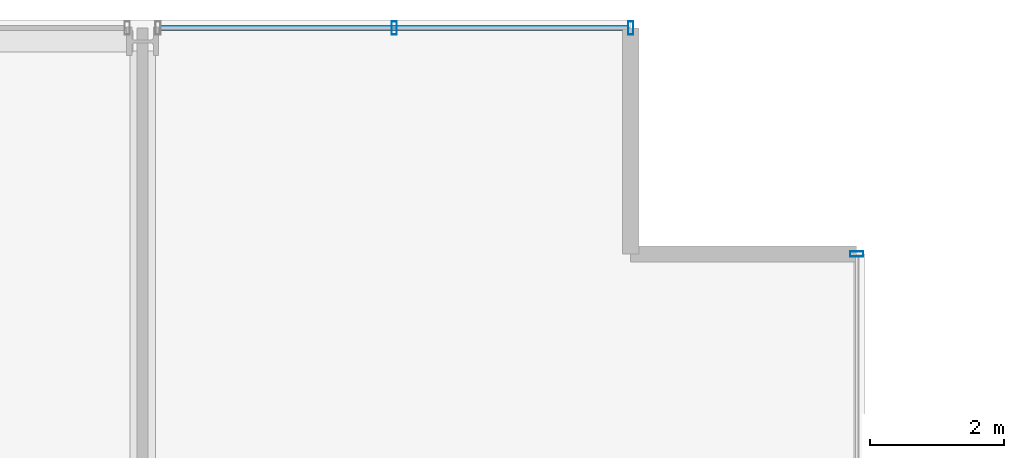
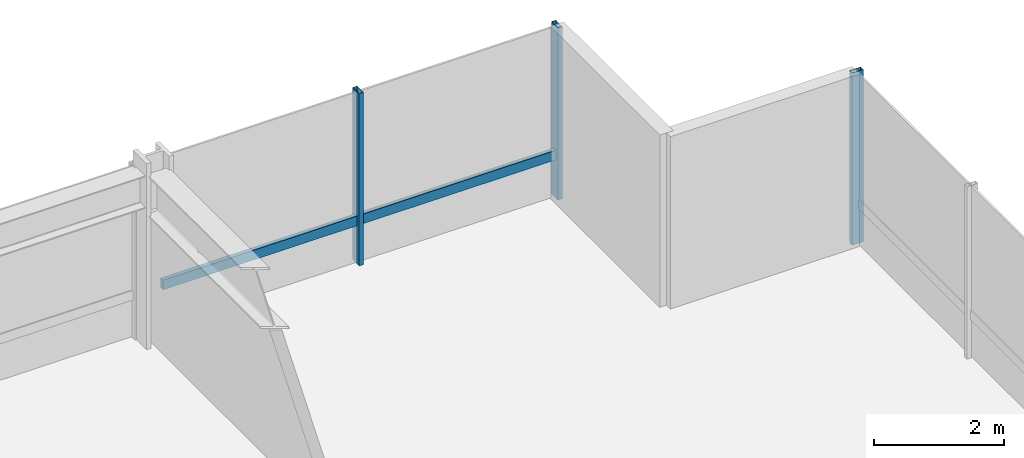
# One storey, part 28 of 38: 4 members, 2 elements without a shape of their own.
"""IFC4 building model written with IfcOpenShell, lengths in metres."""

from ifc_helpers import new_model, si_unit, direction, frame, origin, origin_2d, place, context, subcontext, project, spatial, hollow_rectangle, extrude, material, layer, layer_set, material_profile, profile_set, type_object, element, aggregate, save


model = new_model("IFC4")

# Units and contexts
model_context = context("Model", 3, precision=1e-05, world=origin(), true_north=direction((0.0, 1.0)))
body_context = subcontext(model_context, "Body", "Model", "MODEL_VIEW")
ifc_project = project(units=[si_unit("LENGTHUNIT", "METRE"), si_unit("AREAUNIT", "SQUARE_METRE"), si_unit("VOLUMEUNIT", "CUBIC_METRE"), si_unit("PLANEANGLEUNIT", "RADIAN"), si_unit("MASSUNIT", "GRAM", prefix="KILO")], contexts=[model_context])

# Site, building, storey
site_placement = place(None, origin())
site = spatial("IfcSite", under=ifc_project, at=site_placement, CompositionType="ELEMENT")
building_placement = place(site_placement, origin())
building = spatial("IfcBuilding", under=site, at=building_placement, Name="Drelvath Grand Hotel", CompositionType="ELEMENT")
storey_placement = place(building_placement, frame((0.0, 0.0, 64.699951171875)))
storey = spatial("IfcBuildingStorey", under=building, at=storey_placement, Name="L15", CompositionType="ELEMENT", Elevation=64.699951171875)

# Curtain wall, member
ifc_material = material(Name="Warm Bronze Anodised Aluminium Frame", Category="aluminium")
ifc_layer = layer(ifc_material, 0.199951171875)
ifc_layer_set = layer_set([ifc_layer], Name="Warm Bronze Anodised Aluminium Frame")
curtain_wall_type = type_object("IfcCurtainWallType", Name="Stick Curtain Wall CW-02 Warm Bronze Low-Rise", PredefinedType="NOTDEFINED", material=ifc_layer_set)
curtain_wall_1_placement = place(storey_placement, origin())
curtain_wall_1 = element("IfcCurtainWall", 1, at=curtain_wall_1_placement, inside=storey, type_object=curtain_wall_type, Name="L15 CW-02 Curtain Wall CW02-L15-NE3", PredefinedType="NOTDEFINED")
ifc_material_profile_1 = material_profile(ifc_material, hollow_rectangle(XDim=0.074951171875, YDim=0.179931640625, WallThickness=0.0048828125, at=origin_2d()), Name="HSS180X75X5")
ifc_profile_set_1 = profile_set([ifc_material_profile_1], Name="Warm Bronze Anodised Aluminium Frame")
member_type_1 = type_object("IfcMemberType", Name="Curtain Wall Horizontal Transom CW-02 HSS180X75X5", PredefinedType="USERDEFINED", material=ifc_profile_set_1)
member_1_placement = place(storey_placement, frame((16.468994140625, 53.8798828125, 0.81005859375), z_axis=(1.0, 0.0, 0.0), x_axis=(0.0, 1.0, 0.0)))
member_1 = element("IfcMember", 2, at=member_1_placement, type_object=member_type_1, Name="CW02-L15-NE3 Sill Transom", ObjectType="TRANSOM", PredefinedType="USERDEFINED", context=body_context, shape_type="SweptSolid", body=[
    extrude(hollow_rectangle(XDim=0.074951171875, YDim=0.179931640625, WallThickness=0.0048828125, at=origin_2d()), origin(), (0.0, 0.0, 1.0), 6.990966796875),
])

curtain_wall_2_placement = place(storey_placement, origin())
curtain_wall_2 = element("IfcCurtainWall", 3, at=curtain_wall_2_placement, inside=storey, type_object=curtain_wall_type, Name="L15 CW-02 Curtain Wall CW02-L15-EN3", PredefinedType="NOTDEFINED")
ifc_material_profile_2 = material_profile(ifc_material, hollow_rectangle(XDim=0.080078125, YDim=0.199951171875, WallThickness=0.0048828125, at=origin_2d()), Name="HSS200X80X5")
ifc_profile_set_2 = profile_set([ifc_material_profile_2], Name="Warm Bronze Anodised Aluminium Frame")
member_type_2 = type_object("IfcMemberType", Name="Curtain Wall Vertical Mullion CW-02 HSS200X80X5", PredefinedType="MULLION", material=ifc_profile_set_2)
member_2_placement = place(storey_placement, frame((26.8798828125, 50.5, 0.0), z_axis=(0.0, 0.0, 1.0), x_axis=(0.0, 1.0, 0.0)))
member_2 = element("IfcMember", 4, at=member_2_placement, type_object=member_type_2, Name="CW02-L15-EN3 Mullion 1", PredefinedType="MULLION", context=body_context, shape_type="SweptSolid", body=[
    extrude(hollow_rectangle(XDim=0.080078125, YDim=0.199951171875, WallThickness=0.0048828125, at=origin_2d()), origin(), (0.0, 0.0, 1.0), 3.239990234375),
])
aggregate(curtain_wall_2, [member_2])

# Member
member_3_placement = place(storey_placement, frame((19.964599609375, 53.8798828125, 0.0), z_axis=(0.0, 0.0, 1.0), x_axis=(1.0, 0.0, 0.0)))
member_3 = element("IfcMember", 5, at=member_3_placement, type_object=member_type_2, Name="CW02-L15-NE3 Mullion 2", PredefinedType="MULLION", context=body_context, shape_type="SweptSolid", body=[
    extrude(hollow_rectangle(XDim=0.080078125, YDim=0.199951171875, WallThickness=0.0048828125, at=origin_2d()), origin(), (0.0, 0.0, 1.0), 3.239990234375),
])

member_4_placement = place(storey_placement, frame((23.5, 53.8798828125, 0.0), z_axis=(0.0, 0.0, 1.0), x_axis=(1.0, 0.0, 0.0)))
member_4 = element("IfcMember", 6, at=member_4_placement, type_object=member_type_2, Name="CW02-L15-NE3 Mullion 3", PredefinedType="MULLION", context=body_context, shape_type="SweptSolid", body=[
    extrude(hollow_rectangle(XDim=0.080078125, YDim=0.199951171875, WallThickness=0.0048828125, at=origin_2d()), origin(), (0.0, 0.0, 1.0), 3.239990234375),
])

aggregate(curtain_wall_1, [member_3, member_4, member_1])

save(model, "model.ifc")
